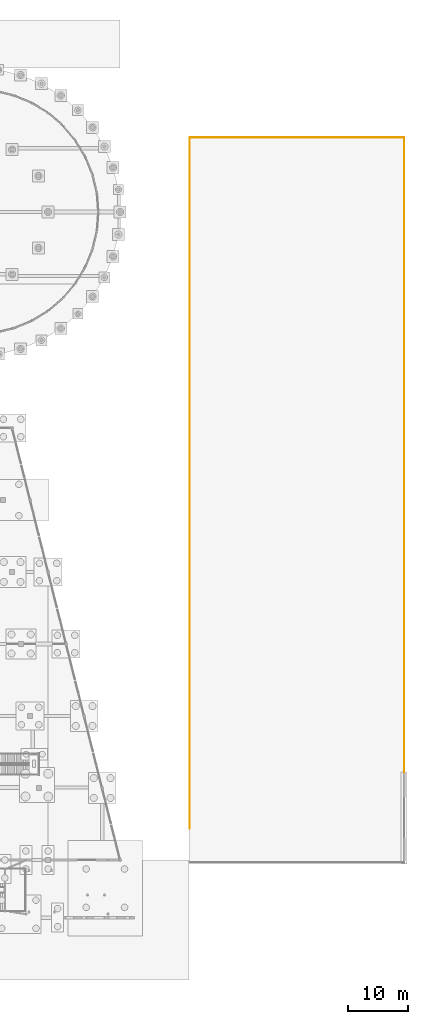
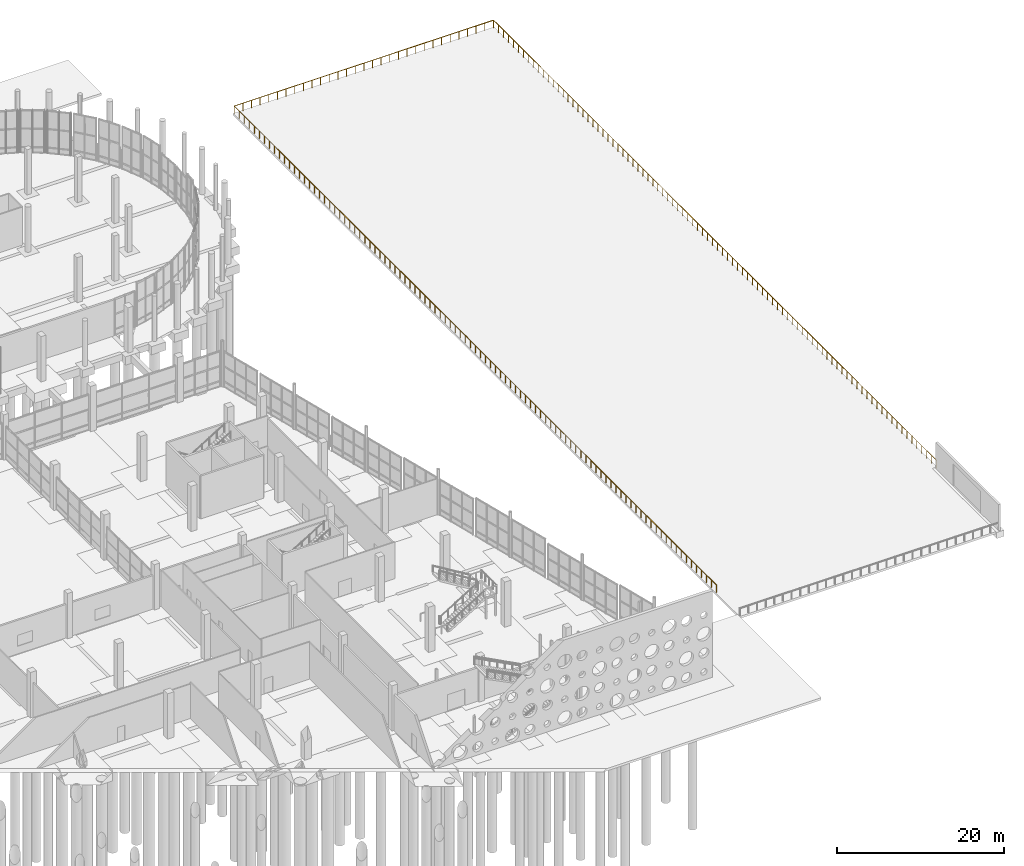
# One storey, part 114 of 117: 1 railing.
"""IFC4 building model written with IfcOpenShell, lengths in metres."""

from ifc_helpers import new_model, si_unit, direction, frame, origin, origin_2d, place, context, subcontext, project, spatial, circle, extrude, material, type_object, element, save


model = new_model("IFC4")

# Units and contexts
model_context = context("Model", 3, precision=1e-05, world=origin(), true_north=direction((0.0, 1.0)))
body_context = subcontext(model_context, "Body", "Model", "MODEL_VIEW")
ifc_project = project(units=[si_unit("LENGTHUNIT", "METRE"), si_unit("AREAUNIT", "SQUARE_METRE"), si_unit("VOLUMEUNIT", "CUBIC_METRE"), si_unit("PLANEANGLEUNIT", "RADIAN"), si_unit("MASSUNIT", "GRAM", prefix="KILO")], contexts=[model_context])

# Site, building, storey
site_placement = place(None, origin())
site = spatial("IfcSite", under=ifc_project, at=site_placement, CompositionType="ELEMENT")
building_placement = place(site_placement, origin())
building = spatial("IfcBuilding", under=site, at=building_placement, Name="Kamomehara Wholesale Market", CompositionType="ELEMENT")
storey_placement = place(building_placement, origin())
storey = spatial("IfcBuildingStorey", under=building, at=storey_placement, Name="L00", CompositionType="ELEMENT", Elevation=0.0)

# Railing
ifc_material = material(Name="Steel SN400B", Category="steel")
railing_type = type_object("IfcRailingType", Name="RAL-EXT-1100", PredefinedType="BALUSTRADE", material=ifc_material)
railing_placement = place(storey_placement, frame((251.35009765625, 38.5, 0.0)))
element("IfcRailing", 1, at=railing_placement, inside=storey, type_object=railing_type, Name="Car park east-north-west perimeter guard", PredefinedType="BALUSTRADE", context=body_context, shape_type="SweptSolid", body=[
    extrude(circle(Radius=0.02392578125, at=origin_2d()), frame((0.0, 0.0, 1.09619140625), z_axis=(0.0, 1.0, 0.0), x_axis=(-1.0, 0.0, 0.0)), (0.0, 0.0, 1.0), 105.89990234375),
    extrude(circle(Radius=0.02392578125, at=origin_2d()), frame((0.0, 105.89990234375, 1.09619140625), z_axis=(-1.0, 0.0, 0.0), x_axis=(0.0, -1.0, 0.0)), (0.0, 0.0, 1.0), 35.75),
    extrude(circle(Radius=0.02392578125, at=origin_2d()), frame((-35.75, 105.89990234375, 1.09619140625), z_axis=(0.0, -1.0, 0.0), x_axis=(1.0, 0.0, 0.0)), (0.0, 0.0, 1.0), 115.199951171875),
    extrude(circle(Radius=0.02099609375, at=origin_2d()), origin(), (0.0, 0.0, 1.0), 1.072021484375),
    extrude(circle(Radius=0.02099609375, at=origin_2d()), frame((0.0, 1.18994140625, 0.0)), (0.0, 0.0, 1.0), 1.072021484375),
    extrude(circle(Radius=0.02099609375, at=origin_2d()), frame((0.0, 2.3798828125, 0.0)), (0.0, 0.0, 1.0), 1.072021484375),
    extrude(circle(Radius=0.02099609375, at=origin_2d()), frame((0.0, 3.569580078125, 0.0)), (0.0, 0.0, 1.0), 1.072021484375),
    extrude(circle(Radius=0.02099609375, at=origin_2d()), frame((0.0, 4.759521484375, 0.0)), (0.0, 0.0, 1.0), 1.072021484375),
    extrude(circle(Radius=0.02099609375, at=origin_2d()), frame((0.0, 5.949462890625, 0.0)), (0.0, 0.0, 1.0), 1.072021484375),
    extrude(circle(Radius=0.02099609375, at=origin_2d()), frame((0.0, 7.139404296875, 0.0)), (0.0, 0.0, 1.0), 1.072021484375),
    extrude(circle(Radius=0.02099609375, at=origin_2d()), frame((0.0, 8.3291015625, 0.0)), (0.0, 0.0, 1.0), 1.072021484375),
    extrude(circle(Radius=0.02099609375, at=origin_2d()), frame((0.0, 9.51904296875, 0.0)), (0.0, 0.0, 1.0), 1.072021484375),
    extrude(circle(Radius=0.02099609375, at=origin_2d()), frame((0.0, 10.708984375, 0.0)), (0.0, 0.0, 1.0), 1.072021484375),
    extrude(circle(Radius=0.02099609375, at=origin_2d()), frame((0.0, 11.89892578125, 0.0)), (0.0, 0.0, 1.0), 1.072021484375),
    extrude(circle(Radius=0.02099609375, at=origin_2d()), frame((0.0, 13.0888671875, 0.0)), (0.0, 0.0, 1.0), 1.072021484375),
    extrude(circle(Radius=0.02099609375, at=origin_2d()), frame((0.0, 14.278564453125, 0.0)), (0.0, 0.0, 1.0), 1.072021484375),
    extrude(circle(Radius=0.02099609375, at=origin_2d()), frame((0.0, 15.468505859375, 0.0)), (0.0, 0.0, 1.0), 1.072021484375),
    extrude(circle(Radius=0.02099609375, at=origin_2d()), frame((0.0, 16.658447265625, 0.0)), (0.0, 0.0, 1.0), 1.072021484375),
    extrude(circle(Radius=0.02099609375, at=origin_2d()), frame((0.0, 17.848388671875, 0.0)), (0.0, 0.0, 1.0), 1.072021484375),
    extrude(circle(Radius=0.02099609375, at=origin_2d()), frame((0.0, 19.0380859375, 0.0)), (0.0, 0.0, 1.0), 1.072021484375),
    extrude(circle(Radius=0.02099609375, at=origin_2d()), frame((0.0, 20.22802734375, 0.0)), (0.0, 0.0, 1.0), 1.072021484375),
    extrude(circle(Radius=0.02099609375, at=origin_2d()), frame((0.0, 21.41796875, 0.0)), (0.0, 0.0, 1.0), 1.072021484375),
    extrude(circle(Radius=0.02099609375, at=origin_2d()), frame((0.0, 22.60791015625, 0.0)), (0.0, 0.0, 1.0), 1.072021484375),
    extrude(circle(Radius=0.02099609375, at=origin_2d()), frame((0.0, 23.7978515625, 0.0)), (0.0, 0.0, 1.0), 1.072021484375),
    extrude(circle(Radius=0.02099609375, at=origin_2d()), frame((0.0, 24.987548828125, 0.0)), (0.0, 0.0, 1.0), 1.072021484375),
    extrude(circle(Radius=0.02099609375, at=origin_2d()), frame((0.0, 26.177490234375, 0.0)), (0.0, 0.0, 1.0), 1.072021484375),
    extrude(circle(Radius=0.02099609375, at=origin_2d()), frame((0.0, 27.367431640625, 0.0)), (0.0, 0.0, 1.0), 1.072021484375),
    extrude(circle(Radius=0.02099609375, at=origin_2d()), frame((0.0, 28.557373046875, 0.0)), (0.0, 0.0, 1.0), 1.072021484375),
    extrude(circle(Radius=0.02099609375, at=origin_2d()), frame((0.0, 29.7470703125, 0.0)), (0.0, 0.0, 1.0), 1.072021484375),
    extrude(circle(Radius=0.02099609375, at=origin_2d()), frame((0.0, 30.93701171875, 0.0)), (0.0, 0.0, 1.0), 1.072021484375),
    extrude(circle(Radius=0.02099609375, at=origin_2d()), frame((0.0, 32.126953125, 0.0)), (0.0, 0.0, 1.0), 1.072021484375),
    extrude(circle(Radius=0.02099609375, at=origin_2d()), frame((0.0, 33.31689453125, 0.0)), (0.0, 0.0, 1.0), 1.072021484375),
    extrude(circle(Radius=0.02099609375, at=origin_2d()), frame((0.0, 34.506591796875, 0.0)), (0.0, 0.0, 1.0), 1.072021484375),
    extrude(circle(Radius=0.02099609375, at=origin_2d()), frame((0.0, 35.696533203125, 0.0)), (0.0, 0.0, 1.0), 1.072021484375),
    extrude(circle(Radius=0.02099609375, at=origin_2d()), frame((0.0, 36.886474609375, 0.0)), (0.0, 0.0, 1.0), 1.072021484375),
    extrude(circle(Radius=0.02099609375, at=origin_2d()), frame((0.0, 38.076416015625, 0.0)), (0.0, 0.0, 1.0), 1.072021484375),
    extrude(circle(Radius=0.02099609375, at=origin_2d()), frame((0.0, 39.266357421875, 0.0)), (0.0, 0.0, 1.0), 1.072021484375),
    extrude(circle(Radius=0.02099609375, at=origin_2d()), frame((0.0, 40.4560546875, 0.0)), (0.0, 0.0, 1.0), 1.072021484375),
    extrude(circle(Radius=0.02099609375, at=origin_2d()), frame((0.0, 41.64599609375, 0.0)), (0.0, 0.0, 1.0), 1.072021484375),
    extrude(circle(Radius=0.02099609375, at=origin_2d()), frame((0.0, 42.8359375, 0.0)), (0.0, 0.0, 1.0), 1.072021484375),
    extrude(circle(Radius=0.02099609375, at=origin_2d()), frame((0.0, 44.02587890625, 0.0)), (0.0, 0.0, 1.0), 1.072021484375),
    extrude(circle(Radius=0.02099609375, at=origin_2d()), frame((0.0, 45.215576171875, 0.0)), (0.0, 0.0, 1.0), 1.072021484375),
    extrude(circle(Radius=0.02099609375, at=origin_2d()), frame((0.0, 46.405517578125, 0.0)), (0.0, 0.0, 1.0), 1.072021484375),
    extrude(circle(Radius=0.02099609375, at=origin_2d()), frame((0.0, 47.595458984375, 0.0)), (0.0, 0.0, 1.0), 1.072021484375),
    extrude(circle(Radius=0.02099609375, at=origin_2d()), frame((0.0, 48.785400390625, 0.0)), (0.0, 0.0, 1.0), 1.072021484375),
    extrude(circle(Radius=0.02099609375, at=origin_2d()), frame((0.0, 49.975341796875, 0.0)), (0.0, 0.0, 1.0), 1.072021484375),
    extrude(circle(Radius=0.02099609375, at=origin_2d()), frame((0.0, 51.1650390625, 0.0)), (0.0, 0.0, 1.0), 1.072021484375),
    extrude(circle(Radius=0.02099609375, at=origin_2d()), frame((0.0, 52.35498046875, 0.0)), (0.0, 0.0, 1.0), 1.072021484375),
    extrude(circle(Radius=0.02099609375, at=origin_2d()), frame((0.0, 53.544921875, 0.0)), (0.0, 0.0, 1.0), 1.072021484375),
    extrude(circle(Radius=0.02099609375, at=origin_2d()), frame((0.0, 54.73486328125, 0.0)), (0.0, 0.0, 1.0), 1.072021484375),
    extrude(circle(Radius=0.02099609375, at=origin_2d()), frame((0.0, 55.924560546875, 0.0)), (0.0, 0.0, 1.0), 1.072021484375),
    extrude(circle(Radius=0.02099609375, at=origin_2d()), frame((0.0, 57.114501953125, 0.0)), (0.0, 0.0, 1.0), 1.072021484375),
    extrude(circle(Radius=0.02099609375, at=origin_2d()), frame((0.0, 58.304443359375, 0.0)), (0.0, 0.0, 1.0), 1.072021484375),
    extrude(circle(Radius=0.02099609375, at=origin_2d()), frame((0.0, 59.494384765625, 0.0)), (0.0, 0.0, 1.0), 1.072021484375),
    extrude(circle(Radius=0.02099609375, at=origin_2d()), frame((0.0, 60.684326171875, 0.0)), (0.0, 0.0, 1.0), 1.072021484375),
    extrude(circle(Radius=0.02099609375, at=origin_2d()), frame((0.0, 61.8740234375, 0.0)), (0.0, 0.0, 1.0), 1.072021484375),
    extrude(circle(Radius=0.02099609375, at=origin_2d()), frame((0.0, 63.06396484375, 0.0)), (0.0, 0.0, 1.0), 1.072021484375),
    extrude(circle(Radius=0.02099609375, at=origin_2d()), frame((0.0, 64.25390625, 0.0)), (0.0, 0.0, 1.0), 1.072021484375),
    extrude(circle(Radius=0.02099609375, at=origin_2d()), frame((0.0, 65.44384765625, 0.0)), (0.0, 0.0, 1.0), 1.072021484375),
    extrude(circle(Radius=0.02099609375, at=origin_2d()), frame((0.0, 66.633544921875, 0.0)), (0.0, 0.0, 1.0), 1.072021484375),
    extrude(circle(Radius=0.02099609375, at=origin_2d()), frame((0.0, 67.823486328125, 0.0)), (0.0, 0.0, 1.0), 1.072021484375),
    extrude(circle(Radius=0.02099609375, at=origin_2d()), frame((0.0, 69.013427734375, 0.0)), (0.0, 0.0, 1.0), 1.072021484375),
    extrude(circle(Radius=0.02099609375, at=origin_2d()), frame((0.0, 70.203369140625, 0.0)), (0.0, 0.0, 1.0), 1.072021484375),
    extrude(circle(Radius=0.02099609375, at=origin_2d()), frame((0.0, 71.393310546875, 0.0)), (0.0, 0.0, 1.0), 1.072021484375),
    extrude(circle(Radius=0.02099609375, at=origin_2d()), frame((0.0, 72.5830078125, 0.0)), (0.0, 0.0, 1.0), 1.072021484375),
    extrude(circle(Radius=0.02099609375, at=origin_2d()), frame((0.0, 73.77294921875, 0.0)), (0.0, 0.0, 1.0), 1.072021484375),
    extrude(circle(Radius=0.02099609375, at=origin_2d()), frame((0.0, 74.962890625, 0.0)), (0.0, 0.0, 1.0), 1.072021484375),
    extrude(circle(Radius=0.02099609375, at=origin_2d()), frame((0.0, 76.15283203125, 0.0)), (0.0, 0.0, 1.0), 1.072021484375),
    extrude(circle(Radius=0.02099609375, at=origin_2d()), frame((0.0, 77.342529296875, 0.0)), (0.0, 0.0, 1.0), 1.072021484375),
    extrude(circle(Radius=0.02099609375, at=origin_2d()), frame((0.0, 78.532470703125, 0.0)), (0.0, 0.0, 1.0), 1.072021484375),
    extrude(circle(Radius=0.02099609375, at=origin_2d()), frame((0.0, 79.722412109375, 0.0)), (0.0, 0.0, 1.0), 1.072021484375),
    extrude(circle(Radius=0.02099609375, at=origin_2d()), frame((0.0, 80.912353515625, 0.0)), (0.0, 0.0, 1.0), 1.072021484375),
    extrude(circle(Radius=0.02099609375, at=origin_2d()), frame((0.0, 82.10205078125, 0.0)), (0.0, 0.0, 1.0), 1.072021484375),
    extrude(circle(Radius=0.02099609375, at=origin_2d()), frame((0.0, 83.2919921875, 0.0)), (0.0, 0.0, 1.0), 1.072021484375),
    extrude(circle(Radius=0.02099609375, at=origin_2d()), frame((0.0, 84.48193359375, 0.0)), (0.0, 0.0, 1.0), 1.072021484375),
    extrude(circle(Radius=0.02099609375, at=origin_2d()), frame((0.0, 85.671875, 0.0)), (0.0, 0.0, 1.0), 1.072021484375),
    extrude(circle(Radius=0.02099609375, at=origin_2d()), frame((0.0, 86.86181640625, 0.0)), (0.0, 0.0, 1.0), 1.072021484375),
    extrude(circle(Radius=0.02099609375, at=origin_2d()), frame((0.0, 88.051513671875, 0.0)), (0.0, 0.0, 1.0), 1.072021484375),
    extrude(circle(Radius=0.02099609375, at=origin_2d()), frame((0.0, 89.241455078125, 0.0)), (0.0, 0.0, 1.0), 1.072021484375),
    extrude(circle(Radius=0.02099609375, at=origin_2d()), frame((0.0, 90.431396484375, 0.0)), (0.0, 0.0, 1.0), 1.072021484375),
    extrude(circle(Radius=0.02099609375, at=origin_2d()), frame((0.0, 91.621337890625, 0.0)), (0.0, 0.0, 1.0), 1.072021484375),
    extrude(circle(Radius=0.02099609375, at=origin_2d()), frame((0.0, 92.81103515625, 0.0)), (0.0, 0.0, 1.0), 1.072021484375),
    extrude(circle(Radius=0.02099609375, at=origin_2d()), frame((0.0, 94.0009765625, 0.0)), (0.0, 0.0, 1.0), 1.072021484375),
    extrude(circle(Radius=0.02099609375, at=origin_2d()), frame((0.0, 95.19091796875, 0.0)), (0.0, 0.0, 1.0), 1.072021484375),
    extrude(circle(Radius=0.02099609375, at=origin_2d()), frame((0.0, 96.380859375, 0.0)), (0.0, 0.0, 1.0), 1.072021484375),
    extrude(circle(Radius=0.02099609375, at=origin_2d()), frame((0.0, 97.57080078125, 0.0)), (0.0, 0.0, 1.0), 1.072021484375),
    extrude(circle(Radius=0.02099609375, at=origin_2d()), frame((0.0, 98.760498046875, 0.0)), (0.0, 0.0, 1.0), 1.072021484375),
    extrude(circle(Radius=0.02099609375, at=origin_2d()), frame((0.0, 99.950439453125, 0.0)), (0.0, 0.0, 1.0), 1.072021484375),
    extrude(circle(Radius=0.02099609375, at=origin_2d()), frame((0.0, 101.140380859375, 0.0)), (0.0, 0.0, 1.0), 1.072021484375),
    extrude(circle(Radius=0.02099609375, at=origin_2d()), frame((0.0, 102.330322265625, 0.0)), (0.0, 0.0, 1.0), 1.072021484375),
    extrude(circle(Radius=0.02099609375, at=origin_2d()), frame((0.0, 103.52001953125, 0.0)), (0.0, 0.0, 1.0), 1.072021484375),
    extrude(circle(Radius=0.02099609375, at=origin_2d()), frame((0.0, 104.7099609375, 0.0)), (0.0, 0.0, 1.0), 1.072021484375),
    extrude(circle(Radius=0.02099609375, at=origin_2d()), frame((0.0, 105.89990234375, 0.0)), (0.0, 0.0, 1.0), 1.072021484375),
    extrude(circle(Radius=0.02099609375, at=origin_2d()), frame((-1.191650390625, 105.89990234375, 0.0)), (0.0, 0.0, 1.0), 1.072021484375),
    extrude(circle(Radius=0.02099609375, at=origin_2d()), frame((-2.38330078125, 105.89990234375, 0.0)), (0.0, 0.0, 1.0), 1.072021484375),
    extrude(circle(Radius=0.02099609375, at=origin_2d()), frame((-3.574951171875, 105.89990234375, 0.0)), (0.0, 0.0, 1.0), 1.072021484375),
    extrude(circle(Radius=0.02099609375, at=origin_2d()), frame((-4.7666015625, 105.89990234375, 0.0)), (0.0, 0.0, 1.0), 1.072021484375),
    extrude(circle(Radius=0.02099609375, at=origin_2d()), frame((-5.958251953125, 105.89990234375, 0.0)), (0.0, 0.0, 1.0), 1.072021484375),
    extrude(circle(Radius=0.02099609375, at=origin_2d()), frame((-7.14990234375, 105.89990234375, 0.0)), (0.0, 0.0, 1.0), 1.072021484375),
    extrude(circle(Radius=0.02099609375, at=origin_2d()), frame((-8.341552734375, 105.89990234375, 0.0)), (0.0, 0.0, 1.0), 1.072021484375),
    extrude(circle(Radius=0.02099609375, at=origin_2d()), frame((-9.533447265625, 105.89990234375, 0.0)), (0.0, 0.0, 1.0), 1.072021484375),
    extrude(circle(Radius=0.02099609375, at=origin_2d()), frame((-10.72509765625, 105.89990234375, 0.0)), (0.0, 0.0, 1.0), 1.072021484375),
    extrude(circle(Radius=0.02099609375, at=origin_2d()), frame((-11.916748046875, 105.89990234375, 0.0)), (0.0, 0.0, 1.0), 1.072021484375),
    extrude(circle(Radius=0.02099609375, at=origin_2d()), frame((-13.1083984375, 105.89990234375, 0.0)), (0.0, 0.0, 1.0), 1.072021484375),
    extrude(circle(Radius=0.02099609375, at=origin_2d()), frame((-14.300048828125, 105.89990234375, 0.0)), (0.0, 0.0, 1.0), 1.072021484375),
    extrude(circle(Radius=0.02099609375, at=origin_2d()), frame((-15.49169921875, 105.89990234375, 0.0)), (0.0, 0.0, 1.0), 1.072021484375),
    extrude(circle(Radius=0.02099609375, at=origin_2d()), frame((-16.683349609375, 105.89990234375, 0.0)), (0.0, 0.0, 1.0), 1.072021484375),
    extrude(circle(Radius=0.02099609375, at=origin_2d()), frame((-17.875, 105.89990234375, 0.0)), (0.0, 0.0, 1.0), 1.072021484375),
    extrude(circle(Radius=0.02099609375, at=origin_2d()), frame((-19.066650390625, 105.89990234375, 0.0)), (0.0, 0.0, 1.0), 1.072021484375),
    extrude(circle(Radius=0.02099609375, at=origin_2d()), frame((-20.25830078125, 105.89990234375, 0.0)), (0.0, 0.0, 1.0), 1.072021484375),
    extrude(circle(Radius=0.02099609375, at=origin_2d()), frame((-21.449951171875, 105.89990234375, 0.0)), (0.0, 0.0, 1.0), 1.072021484375),
    extrude(circle(Radius=0.02099609375, at=origin_2d()), frame((-22.6416015625, 105.89990234375, 0.0)), (0.0, 0.0, 1.0), 1.072021484375),
    extrude(circle(Radius=0.02099609375, at=origin_2d()), frame((-23.833251953125, 105.89990234375, 0.0)), (0.0, 0.0, 1.0), 1.072021484375),
    extrude(circle(Radius=0.02099609375, at=origin_2d()), frame((-25.02490234375, 105.89990234375, 0.0)), (0.0, 0.0, 1.0), 1.072021484375),
    extrude(circle(Radius=0.02099609375, at=origin_2d()), frame((-26.216552734375, 105.89990234375, 0.0)), (0.0, 0.0, 1.0), 1.072021484375),
    extrude(circle(Radius=0.02099609375, at=origin_2d()), frame((-27.408447265625, 105.89990234375, 0.0)), (0.0, 0.0, 1.0), 1.072021484375),
    extrude(circle(Radius=0.02099609375, at=origin_2d()), frame((-28.60009765625, 105.89990234375, 0.0)), (0.0, 0.0, 1.0), 1.072021484375),
    extrude(circle(Radius=0.02099609375, at=origin_2d()), frame((-29.791748046875, 105.89990234375, 0.0)), (0.0, 0.0, 1.0), 1.072021484375),
    extrude(circle(Radius=0.02099609375, at=origin_2d()), frame((-30.9833984375, 105.89990234375, 0.0)), (0.0, 0.0, 1.0), 1.072021484375),
    extrude(circle(Radius=0.02099609375, at=origin_2d()), frame((-32.175048828125, 105.89990234375, 0.0)), (0.0, 0.0, 1.0), 1.072021484375),
    extrude(circle(Radius=0.02099609375, at=origin_2d()), frame((-33.36669921875, 105.89990234375, 0.0)), (0.0, 0.0, 1.0), 1.072021484375),
    extrude(circle(Radius=0.02099609375, at=origin_2d()), frame((-34.558349609375, 105.89990234375, 0.0)), (0.0, 0.0, 1.0), 1.072021484375),
    extrude(circle(Radius=0.02099609375, at=origin_2d()), frame((-35.75, 105.89990234375, 0.0)), (0.0, 0.0, 1.0), 1.072021484375),
    extrude(circle(Radius=0.02099609375, at=origin_2d()), frame((-35.75, 104.699951171875, 0.0)), (0.0, 0.0, 1.0), 1.072021484375),
    extrude(circle(Radius=0.02099609375, at=origin_2d()), frame((-35.75, 103.5, 0.0)), (0.0, 0.0, 1.0), 1.072021484375),
    extrude(circle(Radius=0.02099609375, at=origin_2d()), frame((-35.75, 102.2998046875, 0.0)), (0.0, 0.0, 1.0), 1.072021484375),
    extrude(circle(Radius=0.02099609375, at=origin_2d()), frame((-35.75, 101.099853515625, 0.0)), (0.0, 0.0, 1.0), 1.072021484375),
    extrude(circle(Radius=0.02099609375, at=origin_2d()), frame((-35.75, 99.89990234375, 0.0)), (0.0, 0.0, 1.0), 1.072021484375),
    extrude(circle(Radius=0.02099609375, at=origin_2d()), frame((-35.75, 98.699951171875, 0.0)), (0.0, 0.0, 1.0), 1.072021484375),
    extrude(circle(Radius=0.02099609375, at=origin_2d()), frame((-35.75, 97.5, 0.0)), (0.0, 0.0, 1.0), 1.072021484375),
    extrude(circle(Radius=0.02099609375, at=origin_2d()), frame((-35.75, 96.2998046875, 0.0)), (0.0, 0.0, 1.0), 1.072021484375),
    extrude(circle(Radius=0.02099609375, at=origin_2d()), frame((-35.75, 95.099853515625, 0.0)), (0.0, 0.0, 1.0), 1.072021484375),
    extrude(circle(Radius=0.02099609375, at=origin_2d()), frame((-35.75, 93.89990234375, 0.0)), (0.0, 0.0, 1.0), 1.072021484375),
    extrude(circle(Radius=0.02099609375, at=origin_2d()), frame((-35.75, 92.699951171875, 0.0)), (0.0, 0.0, 1.0), 1.072021484375),
    extrude(circle(Radius=0.02099609375, at=origin_2d()), frame((-35.75, 91.5, 0.0)), (0.0, 0.0, 1.0), 1.072021484375),
    extrude(circle(Radius=0.02099609375, at=origin_2d()), frame((-35.75, 90.2998046875, 0.0)), (0.0, 0.0, 1.0), 1.072021484375),
    extrude(circle(Radius=0.02099609375, at=origin_2d()), frame((-35.75, 89.099853515625, 0.0)), (0.0, 0.0, 1.0), 1.072021484375),
    extrude(circle(Radius=0.02099609375, at=origin_2d()), frame((-35.75, 87.89990234375, 0.0)), (0.0, 0.0, 1.0), 1.072021484375),
    extrude(circle(Radius=0.02099609375, at=origin_2d()), frame((-35.75, 86.699951171875, 0.0)), (0.0, 0.0, 1.0), 1.072021484375),
    extrude(circle(Radius=0.02099609375, at=origin_2d()), frame((-35.75, 85.5, 0.0)), (0.0, 0.0, 1.0), 1.072021484375),
    extrude(circle(Radius=0.02099609375, at=origin_2d()), frame((-35.75, 84.2998046875, 0.0)), (0.0, 0.0, 1.0), 1.072021484375),
    extrude(circle(Radius=0.02099609375, at=origin_2d()), frame((-35.75, 83.099853515625, 0.0)), (0.0, 0.0, 1.0), 1.072021484375),
    extrude(circle(Radius=0.02099609375, at=origin_2d()), frame((-35.75, 81.89990234375, 0.0)), (0.0, 0.0, 1.0), 1.072021484375),
    extrude(circle(Radius=0.02099609375, at=origin_2d()), frame((-35.75, 80.699951171875, 0.0)), (0.0, 0.0, 1.0), 1.072021484375),
    extrude(circle(Radius=0.02099609375, at=origin_2d()), frame((-35.75, 79.5, 0.0)), (0.0, 0.0, 1.0), 1.072021484375),
    extrude(circle(Radius=0.02099609375, at=origin_2d()), frame((-35.75, 78.2998046875, 0.0)), (0.0, 0.0, 1.0), 1.072021484375),
    extrude(circle(Radius=0.02099609375, at=origin_2d()), frame((-35.75, 77.099853515625, 0.0)), (0.0, 0.0, 1.0), 1.072021484375),
    extrude(circle(Radius=0.02099609375, at=origin_2d()), frame((-35.75, 75.89990234375, 0.0)), (0.0, 0.0, 1.0), 1.072021484375),
    extrude(circle(Radius=0.02099609375, at=origin_2d()), frame((-35.75, 74.699951171875, 0.0)), (0.0, 0.0, 1.0), 1.072021484375),
    extrude(circle(Radius=0.02099609375, at=origin_2d()), frame((-35.75, 73.5, 0.0)), (0.0, 0.0, 1.0), 1.072021484375),
    extrude(circle(Radius=0.02099609375, at=origin_2d()), frame((-35.75, 72.2998046875, 0.0)), (0.0, 0.0, 1.0), 1.072021484375),
    extrude(circle(Radius=0.02099609375, at=origin_2d()), frame((-35.75, 71.099853515625, 0.0)), (0.0, 0.0, 1.0), 1.072021484375),
    extrude(circle(Radius=0.02099609375, at=origin_2d()), frame((-35.75, 69.89990234375, 0.0)), (0.0, 0.0, 1.0), 1.072021484375),
    extrude(circle(Radius=0.02099609375, at=origin_2d()), frame((-35.75, 68.699951171875, 0.0)), (0.0, 0.0, 1.0), 1.072021484375),
    extrude(circle(Radius=0.02099609375, at=origin_2d()), frame((-35.75, 67.5, 0.0)), (0.0, 0.0, 1.0), 1.072021484375),
    extrude(circle(Radius=0.02099609375, at=origin_2d()), frame((-35.75, 66.2998046875, 0.0)), (0.0, 0.0, 1.0), 1.072021484375),
    extrude(circle(Radius=0.02099609375, at=origin_2d()), frame((-35.75, 65.099853515625, 0.0)), (0.0, 0.0, 1.0), 1.072021484375),
    extrude(circle(Radius=0.02099609375, at=origin_2d()), frame((-35.75, 63.89990234375, 0.0)), (0.0, 0.0, 1.0), 1.072021484375),
    extrude(circle(Radius=0.02099609375, at=origin_2d()), frame((-35.75, 62.699951171875, 0.0)), (0.0, 0.0, 1.0), 1.072021484375),
    extrude(circle(Radius=0.02099609375, at=origin_2d()), frame((-35.75, 61.5, 0.0)), (0.0, 0.0, 1.0), 1.072021484375),
    extrude(circle(Radius=0.02099609375, at=origin_2d()), frame((-35.75, 60.2998046875, 0.0)), (0.0, 0.0, 1.0), 1.072021484375),
    extrude(circle(Radius=0.02099609375, at=origin_2d()), frame((-35.75, 59.099853515625, 0.0)), (0.0, 0.0, 1.0), 1.072021484375),
    extrude(circle(Radius=0.02099609375, at=origin_2d()), frame((-35.75, 57.89990234375, 0.0)), (0.0, 0.0, 1.0), 1.072021484375),
    extrude(circle(Radius=0.02099609375, at=origin_2d()), frame((-35.75, 56.699951171875, 0.0)), (0.0, 0.0, 1.0), 1.072021484375),
    extrude(circle(Radius=0.02099609375, at=origin_2d()), frame((-35.75, 55.5, 0.0)), (0.0, 0.0, 1.0), 1.072021484375),
    extrude(circle(Radius=0.02099609375, at=origin_2d()), frame((-35.75, 54.2998046875, 0.0)), (0.0, 0.0, 1.0), 1.072021484375),
    extrude(circle(Radius=0.02099609375, at=origin_2d()), frame((-35.75, 53.099853515625, 0.0)), (0.0, 0.0, 1.0), 1.072021484375),
    extrude(circle(Radius=0.02099609375, at=origin_2d()), frame((-35.75, 51.89990234375, 0.0)), (0.0, 0.0, 1.0), 1.072021484375),
    extrude(circle(Radius=0.02099609375, at=origin_2d()), frame((-35.75, 50.699951171875, 0.0)), (0.0, 0.0, 1.0), 1.072021484375),
    extrude(circle(Radius=0.02099609375, at=origin_2d()), frame((-35.75, 49.5, 0.0)), (0.0, 0.0, 1.0), 1.072021484375),
    extrude(circle(Radius=0.02099609375, at=origin_2d()), frame((-35.75, 48.2998046875, 0.0)), (0.0, 0.0, 1.0), 1.072021484375),
    extrude(circle(Radius=0.02099609375, at=origin_2d()), frame((-35.75, 47.099853515625, 0.0)), (0.0, 0.0, 1.0), 1.072021484375),
    extrude(circle(Radius=0.02099609375, at=origin_2d()), frame((-35.75, 45.89990234375, 0.0)), (0.0, 0.0, 1.0), 1.072021484375),
    extrude(circle(Radius=0.02099609375, at=origin_2d()), frame((-35.75, 44.699951171875, 0.0)), (0.0, 0.0, 1.0), 1.072021484375),
    extrude(circle(Radius=0.02099609375, at=origin_2d()), frame((-35.75, 43.5, 0.0)), (0.0, 0.0, 1.0), 1.072021484375),
    extrude(circle(Radius=0.02099609375, at=origin_2d()), frame((-35.75, 42.300048828125, 0.0)), (0.0, 0.0, 1.0), 1.072021484375),
    extrude(circle(Radius=0.02099609375, at=origin_2d()), frame((-35.75, 41.099853515625, 0.0)), (0.0, 0.0, 1.0), 1.072021484375),
    extrude(circle(Radius=0.02099609375, at=origin_2d()), frame((-35.75, 39.89990234375, 0.0)), (0.0, 0.0, 1.0), 1.072021484375),
    extrude(circle(Radius=0.02099609375, at=origin_2d()), frame((-35.75, 38.699951171875, 0.0)), (0.0, 0.0, 1.0), 1.072021484375),
    extrude(circle(Radius=0.02099609375, at=origin_2d()), frame((-35.75, 37.5, 0.0)), (0.0, 0.0, 1.0), 1.072021484375),
    extrude(circle(Radius=0.02099609375, at=origin_2d()), frame((-35.75, 36.300048828125, 0.0)), (0.0, 0.0, 1.0), 1.072021484375),
    extrude(circle(Radius=0.02099609375, at=origin_2d()), frame((-35.75, 35.099853515625, 0.0)), (0.0, 0.0, 1.0), 1.072021484375),
    extrude(circle(Radius=0.02099609375, at=origin_2d()), frame((-35.75, 33.89990234375, 0.0)), (0.0, 0.0, 1.0), 1.072021484375),
    extrude(circle(Radius=0.02099609375, at=origin_2d()), frame((-35.75, 32.699951171875, 0.0)), (0.0, 0.0, 1.0), 1.072021484375),
    extrude(circle(Radius=0.02099609375, at=origin_2d()), frame((-35.75, 31.5, 0.0)), (0.0, 0.0, 1.0), 1.072021484375),
    extrude(circle(Radius=0.02099609375, at=origin_2d()), frame((-35.75, 30.300048828125, 0.0)), (0.0, 0.0, 1.0), 1.072021484375),
    extrude(circle(Radius=0.02099609375, at=origin_2d()), frame((-35.75, 29.099853515625, 0.0)), (0.0, 0.0, 1.0), 1.072021484375),
    extrude(circle(Radius=0.02099609375, at=origin_2d()), frame((-35.75, 27.89990234375, 0.0)), (0.0, 0.0, 1.0), 1.072021484375),
    extrude(circle(Radius=0.02099609375, at=origin_2d()), frame((-35.75, 26.699951171875, 0.0)), (0.0, 0.0, 1.0), 1.072021484375),
    extrude(circle(Radius=0.02099609375, at=origin_2d()), frame((-35.75, 25.5, 0.0)), (0.0, 0.0, 1.0), 1.072021484375),
    extrude(circle(Radius=0.02099609375, at=origin_2d()), frame((-35.75, 24.300048828125, 0.0)), (0.0, 0.0, 1.0), 1.072021484375),
    extrude(circle(Radius=0.02099609375, at=origin_2d()), frame((-35.75, 23.099853515625, 0.0)), (0.0, 0.0, 1.0), 1.072021484375),
    extrude(circle(Radius=0.02099609375, at=origin_2d()), frame((-35.75, 21.89990234375, 0.0)), (0.0, 0.0, 1.0), 1.072021484375),
    extrude(circle(Radius=0.02099609375, at=origin_2d()), frame((-35.75, 20.699951171875, 0.0)), (0.0, 0.0, 1.0), 1.072021484375),
    extrude(circle(Radius=0.02099609375, at=origin_2d()), frame((-35.75, 19.5, 0.0)), (0.0, 0.0, 1.0), 1.072021484375),
    extrude(circle(Radius=0.02099609375, at=origin_2d()), frame((-35.75, 18.300048828125, 0.0)), (0.0, 0.0, 1.0), 1.072021484375),
    extrude(circle(Radius=0.02099609375, at=origin_2d()), frame((-35.75, 17.099853515625, 0.0)), (0.0, 0.0, 1.0), 1.072021484375),
    extrude(circle(Radius=0.02099609375, at=origin_2d()), frame((-35.75, 15.89990234375, 0.0)), (0.0, 0.0, 1.0), 1.072021484375),
    extrude(circle(Radius=0.02099609375, at=origin_2d()), frame((-35.75, 14.699951171875, 0.0)), (0.0, 0.0, 1.0), 1.072021484375),
    extrude(circle(Radius=0.02099609375, at=origin_2d()), frame((-35.75, 13.5, 0.0)), (0.0, 0.0, 1.0), 1.072021484375),
    extrude(circle(Radius=0.02099609375, at=origin_2d()), frame((-35.75, 12.300048828125, 0.0)), (0.0, 0.0, 1.0), 1.072021484375),
    extrude(circle(Radius=0.02099609375, at=origin_2d()), frame((-35.75, 11.099853515625, 0.0)), (0.0, 0.0, 1.0), 1.072021484375),
    extrude(circle(Radius=0.02099609375, at=origin_2d()), frame((-35.75, 9.89990234375, 0.0)), (0.0, 0.0, 1.0), 1.072021484375),
    extrude(circle(Radius=0.02099609375, at=origin_2d()), frame((-35.75, 8.699951171875, 0.0)), (0.0, 0.0, 1.0), 1.072021484375),
    extrude(circle(Radius=0.02099609375, at=origin_2d()), frame((-35.75, 7.5, 0.0)), (0.0, 0.0, 1.0), 1.072021484375),
    extrude(circle(Radius=0.02099609375, at=origin_2d()), frame((-35.75, 6.300048828125, 0.0)), (0.0, 0.0, 1.0), 1.072021484375),
    extrude(circle(Radius=0.02099609375, at=origin_2d()), frame((-35.75, 5.099853515625, 0.0)), (0.0, 0.0, 1.0), 1.072021484375),
    extrude(circle(Radius=0.02099609375, at=origin_2d()), frame((-35.75, 3.89990234375, 0.0)), (0.0, 0.0, 1.0), 1.072021484375),
    extrude(circle(Radius=0.02099609375, at=origin_2d()), frame((-35.75, 2.699951171875, 0.0)), (0.0, 0.0, 1.0), 1.072021484375),
    extrude(circle(Radius=0.02099609375, at=origin_2d()), frame((-35.75, 1.5, 0.0)), (0.0, 0.0, 1.0), 1.072021484375),
    extrude(circle(Radius=0.02099609375, at=origin_2d()), frame((-35.75, 0.300048828125, 0.0)), (0.0, 0.0, 1.0), 1.072021484375),
    extrude(circle(Radius=0.02099609375, at=origin_2d()), frame((-35.75, -0.900146484375, 0.0)), (0.0, 0.0, 1.0), 1.072021484375),
    extrude(circle(Radius=0.02099609375, at=origin_2d()), frame((-35.75, -2.10009765625, 0.0)), (0.0, 0.0, 1.0), 1.072021484375),
    extrude(circle(Radius=0.02099609375, at=origin_2d()), frame((-35.75, -3.300048828125, 0.0)), (0.0, 0.0, 1.0), 1.072021484375),
    extrude(circle(Radius=0.02099609375, at=origin_2d()), frame((-35.75, -4.5, 0.0)), (0.0, 0.0, 1.0), 1.072021484375),
    extrude(circle(Radius=0.02099609375, at=origin_2d()), frame((-35.75, -5.699951171875, 0.0)), (0.0, 0.0, 1.0), 1.072021484375),
    extrude(circle(Radius=0.02099609375, at=origin_2d()), frame((-35.75, -6.900146484375, 0.0)), (0.0, 0.0, 1.0), 1.072021484375),
    extrude(circle(Radius=0.02099609375, at=origin_2d()), frame((-35.75, -8.10009765625, 0.0)), (0.0, 0.0, 1.0), 1.072021484375),
    extrude(circle(Radius=0.02099609375, at=origin_2d()), frame((-35.75, -9.300048828125, 0.0)), (0.0, 0.0, 1.0), 1.072021484375),
])

save(model, "model.ifc")
